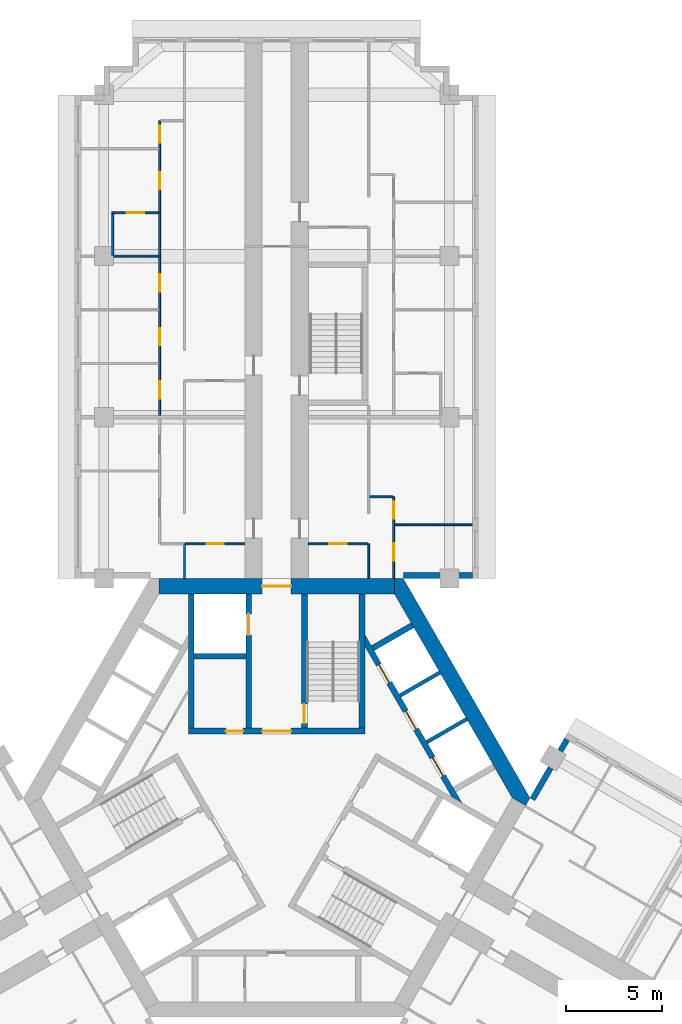
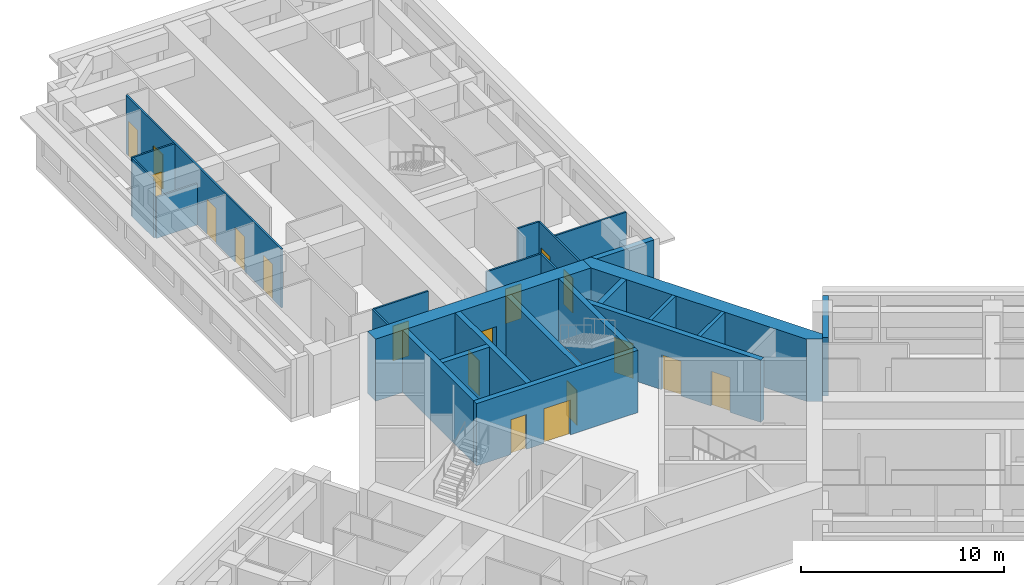
# One storey, part 8 of 13: 25 walls, 18 doors, 18 openings.
"""IFC4 building model written with IfcOpenShell, lengths in metres."""

from ifc_helpers import new_model, si_unit, direction, frame, frame_2d, origin, place, context, subcontext, project, spatial, polyline, rectangle, outline, extrude, material, layer, layer_set, type_object, element, fill, save


model = new_model("IFC4")

# Units and contexts
model_context = context("Model", 3, precision=1e-05, world=origin(), true_north=direction((0.0, 1.0)))
body_context = subcontext(model_context, "Body", "Model", "MODEL_VIEW")
ifc_project = project(units=[si_unit("LENGTHUNIT", "METRE"), si_unit("AREAUNIT", "SQUARE_METRE"), si_unit("VOLUMEUNIT", "CUBIC_METRE"), si_unit("PLANEANGLEUNIT", "RADIAN"), si_unit("MASSUNIT", "GRAM", prefix="KILO")], contexts=[model_context])

# Site, building, storey
site_placement = place(None, origin())
site = spatial("IfcSite", under=ifc_project, at=site_placement, CompositionType="ELEMENT")
building_placement = place(site_placement, origin())
building = spatial("IfcBuilding", under=site, at=building_placement, Name="Impinga Residences", CompositionType="ELEMENT")
storey_placement = place(building_placement, frame((0.0, 0.0, 151.0)))
storey = spatial("IfcBuildingStorey", under=building, at=storey_placement, Name="L37", CompositionType="ELEMENT", Elevation=151.0)

# Walls
ifc_material_1 = material(Name="Terracotta rainscreen on blockwork", Category="masonry")
ifc_layer_1 = layer(ifc_material_1, 0.300048828125)
ifc_layer_set_1 = layer_set([ifc_layer_1], Name="EW1 external wall, terracotta rainscreen on blockwork 300")
wall_type_1 = type_object("IfcWallType", Name="EW1 external wall, terracotta rainscreen on blockwork 300", PredefinedType="SOLIDWALL", material=ifc_layer_set_1)
wall_1_placement = place(storey_placement, frame((10.199951171875, 11.58154296875, 0.0), z_axis=(0.0, 0.0, 1.0), x_axis=(-1.0, 0.0, 0.0)))
element("IfcWall", 1, at=wall_1_placement, inside=storey, type_object=wall_type_1, Name="External wall EW1 L37", PredefinedType="SOLIDWALL", context=body_context, shape_type="SweptSolid", body=[
    extrude(rectangle(XDim=3.599853515625, YDim=0.300048828125, at=frame_2d((1.7998046875, 0.0))), origin(), (0.0, 0.0, 1.0), 3.530029296875),
])
wall_2_placement = place(storey_placement, frame((13.329833984375, -0.074951171875, 0.0), z_axis=(0.0, 0.0, 1.0), x_axis=(0.500012057535, 0.866018442252, 0.0)))
element("IfcWall", 2, at=wall_2_placement, inside=storey, type_object=wall_type_1, Name="External wall EW1 L37", PredefinedType="SOLIDWALL", context=body_context, shape_type="SweptSolid", body=[
    extrude(rectangle(XDim=3.60009765625, YDim=0.300048828125, at=frame_2d((1.800048828125, 0.0))), origin(), (0.0, 0.0, 1.0), 3.530029296875),
])
ifc_material_2 = material(Name="Gypsum board on steel studs", Category="steel")
ifc_layer_2 = layer(ifc_material_2, 0.10009765625)
ifc_layer_set_2 = layer_set([ifc_layer_2], Name="Gypsum board on steel studs")
wall_type_2 = type_object("IfcWallType", Name="IP1 partition 100", PredefinedType="PARTITIONING", material=ifc_layer_set_2)
wall_3_placement = place(storey_placement, frame((-4.800048828125, 11.431640625, 0.0), z_axis=(0.0, 0.0, 1.0), x_axis=(0.0, 1.0, 0.0)))
element("IfcWall", 3, at=wall_3_placement, inside=storey, type_object=wall_type_2, Name="Partition L37-NA1:DIV0", PredefinedType="PARTITIONING", context=body_context, shape_type="SweptSolid", body=[
    extrude(rectangle(XDim=1.7998046875, YDim=0.10009765625, at=frame_2d((0.89990234375, 0.0))), origin(), (0.0, 0.0, 1.0), 3.530029296875),
])

# Wall, opening, door
wall_4_placement = place(storey_placement, frame((-1.64990234375, 13.2314453125, 0.0), z_axis=(0.0, 0.0, 1.0), x_axis=(-1.0, 0.0, 0.0)))
wall_4 = element("IfcWall", 4, at=wall_4_placement, inside=storey, type_object=wall_type_2, Name="Partition L37-NA1:IB1", PredefinedType="PARTITIONING", context=body_context, shape_type="SweptSolid", body=[
    extrude(rectangle(XDim=3.10009765625, YDim=0.10009765625, at=frame_2d((1.550048828125, 0.0))), origin(), (0.0, 0.0, 1.0), 3.530029296875),
])
opening_1_placement = place(wall_4_placement, frame((1.10009765625, 0.0, 0.0)))
opening_1 = element("IfcOpeningElement", 5, at=opening_1_placement, cuts=wall_4, Name="Opening D2", PredefinedType="OPENING", context=body_context, shape_type="SweptSolid", body=[
    extrude(rectangle(XDim=0.89990234375, YDim=2.10009765625, at=frame_2d((0.449951171875, 1.050048828125))), frame((0.0, 0.06005859375, 0.0), z_axis=(0.0, -1.0, 0.0), x_axis=(1.0, 0.0, 0.0)), (0.0, 0.0, 1.0), 0.1201171875),
])
ifc_material_3 = material(Name="Timber door set", Category="wood")
door_type_1 = type_object("IfcDoorType", Name="D2 internal door 900x2100", OperationType="SINGLE_SWING_LEFT", PredefinedType="DOOR", material=ifc_material_3)
door_1_placement = place(opening_1_placement, origin())
door_1 = element("IfcDoor", 6, at=door_1_placement, inside=storey, type_object=door_type_1, Name="Apartment L37-NA1 bathroom door", OperationType="SINGLE_SWING_LEFT", OverallHeight=2.10009765625, OverallWidth=0.89990234375, PredefinedType="DOOR", context=body_context, shape_type="SweptSolid", body=[
    extrude(rectangle(XDim=0.89990234375, YDim=2.10009765625, at=frame_2d((0.449951171875, 1.050048828125))), frame((0.0, 0.02490234375, 0.0), z_axis=(0.0, -1.0, 0.0), x_axis=(1.0, 0.0, 0.0)), (0.0, 0.0, 1.0), 0.050048828125),
])
fill(opening_1, door_1)

# Wall, openings, doors
wall_5_placement = place(storey_placement, frame((-6.10009765625, 19.931640625, 0.0), z_axis=(0.0, 0.0, 1.0), x_axis=(0.0, 1.0, 0.0)))
wall_5 = element("IfcWall", 7, at=wall_5_placement, inside=storey, type_object=wall_type_2, Name="Partition L37-NA2:STRIP", PredefinedType="PARTITIONING", context=body_context, shape_type="SweptSolid", body=[
    extrude(rectangle(XDim=15.349853515625, YDim=0.10009765625, at=frame_2d((7.6748046875, 0.0))), origin(), (0.0, 0.0, 1.0), 3.530029296875),
])
opening_2_placement = place(wall_5_placement, frame((0.875, 0.0, 0.0)))
opening_2 = element("IfcOpeningElement", 8, at=opening_2_placement, cuts=wall_5, Name="Opening D2", PredefinedType="OPENING", context=body_context, shape_type="SweptSolid", body=[
    extrude(rectangle(XDim=0.89990234375, YDim=2.10009765625, at=frame_2d((0.449951171875, 1.050048828125))), frame((0.0, 0.06005859375, 0.0), z_axis=(0.0, -1.0, 0.0), x_axis=(1.0, 0.0, 0.0)), (0.0, 0.0, 1.0), 0.1201171875),
])
opening_3_placement = place(wall_5_placement, frame((3.64990234375, 0.0, 0.0)))
opening_3 = element("IfcOpeningElement", 9, at=opening_3_placement, cuts=wall_5, Name="Opening D2", PredefinedType="OPENING", context=body_context, shape_type="SweptSolid", body=[
    extrude(rectangle(XDim=0.89990234375, YDim=2.10009765625, at=frame_2d((0.449951171875, 1.050048828125))), frame((0.0, 0.06005859375, 0.0), z_axis=(0.0, -1.0, 0.0), x_axis=(1.0, 0.0, 0.0)), (0.0, 0.0, 1.0), 0.1201171875),
])
opening_4_placement = place(wall_5_placement, frame((6.449951171875, 0.0, 0.0)))
opening_4 = element("IfcOpeningElement", 10, at=opening_4_placement, cuts=wall_5, Name="Opening D2", PredefinedType="OPENING", context=body_context, shape_type="SweptSolid", body=[
    extrude(rectangle(XDim=0.89990234375, YDim=2.10009765625, at=frame_2d((0.449951171875, 1.050048828125))), frame((0.0, 0.06005859375, 0.0), z_axis=(0.0, -1.0, 0.0), x_axis=(1.0, 0.0, 0.0)), (0.0, 0.0, 1.0), 0.1201171875),
])
opening_5_placement = place(wall_5_placement, frame((11.77490234375, 0.0, 0.0)))
opening_5 = element("IfcOpeningElement", 11, at=opening_5_placement, cuts=wall_5, Name="Opening D2", PredefinedType="OPENING", context=body_context, shape_type="SweptSolid", body=[
    extrude(rectangle(XDim=0.89990234375, YDim=2.10009765625, at=frame_2d((0.449951171875, 1.050048828125))), frame((0.0, 0.06005859375, 0.0), z_axis=(0.0, -1.0, 0.0), x_axis=(1.0, 0.0, 0.0)), (0.0, 0.0, 1.0), 0.1201171875),
])
opening_6_placement = place(wall_5_placement, frame((14.199951171875, 0.0, 0.0)))
opening_6 = element("IfcOpeningElement", 12, at=opening_6_placement, cuts=wall_5, Name="Opening D2", PredefinedType="OPENING", context=body_context, shape_type="SweptSolid", body=[
    extrude(rectangle(XDim=0.89990234375, YDim=2.10009765625, at=frame_2d((0.449951171875, 1.050048828125))), frame((0.0, 0.06005859375, 0.0), z_axis=(0.0, -1.0, 0.0), x_axis=(1.0, 0.0, 0.0)), (0.0, 0.0, 1.0), 0.1201171875),
])
door_2_placement = place(opening_2_placement, origin())
door_2 = element("IfcDoor", 13, at=door_2_placement, inside=storey, type_object=door_type_1, Name="Apartment L37-NA2 room door", OperationType="SINGLE_SWING_LEFT", OverallHeight=2.10009765625, OverallWidth=0.89990234375, PredefinedType="DOOR", context=body_context, shape_type="SweptSolid", body=[
    extrude(rectangle(XDim=0.89990234375, YDim=2.10009765625, at=frame_2d((0.449951171875, 1.050048828125))), frame((0.0, 0.02490234375, 0.0), z_axis=(0.0, -1.0, 0.0), x_axis=(1.0, 0.0, 0.0)), (0.0, 0.0, 1.0), 0.050048828125),
])
fill(opening_2, door_2)
door_3_placement = place(opening_3_placement, origin())
door_3 = element("IfcDoor", 14, at=door_3_placement, inside=storey, type_object=door_type_1, Name="Apartment L37-NA2 room door", OperationType="SINGLE_SWING_LEFT", OverallHeight=2.10009765625, OverallWidth=0.89990234375, PredefinedType="DOOR", context=body_context, shape_type="SweptSolid", body=[
    extrude(rectangle(XDim=0.89990234375, YDim=2.10009765625, at=frame_2d((0.449951171875, 1.050048828125))), frame((0.0, 0.02490234375, 0.0), z_axis=(0.0, -1.0, 0.0), x_axis=(1.0, 0.0, 0.0)), (0.0, 0.0, 1.0), 0.050048828125),
])
fill(opening_3, door_3)
door_4_placement = place(opening_4_placement, origin())
door_4 = element("IfcDoor", 15, at=door_4_placement, inside=storey, type_object=door_type_1, Name="Apartment L37-NA2 room door", OperationType="SINGLE_SWING_LEFT", OverallHeight=2.10009765625, OverallWidth=0.89990234375, PredefinedType="DOOR", context=body_context, shape_type="SweptSolid", body=[
    extrude(rectangle(XDim=0.89990234375, YDim=2.10009765625, at=frame_2d((0.449951171875, 1.050048828125))), frame((0.0, 0.02490234375, 0.0), z_axis=(0.0, -1.0, 0.0), x_axis=(1.0, 0.0, 0.0)), (0.0, 0.0, 1.0), 0.050048828125),
])
fill(opening_4, door_4)
door_5_placement = place(opening_5_placement, origin())
door_5 = element("IfcDoor", 16, at=door_5_placement, inside=storey, type_object=door_type_1, Name="Apartment L37-NA2 room door", OperationType="SINGLE_SWING_RIGHT", OverallHeight=2.10009765625, OverallWidth=0.89990234375, PredefinedType="DOOR", context=body_context, shape_type="SweptSolid", body=[
    extrude(rectangle(XDim=0.89990234375, YDim=2.10009765625, at=frame_2d((0.449951171875, 1.050048828125))), frame((0.0, 0.02490234375, 0.0), z_axis=(0.0, -1.0, 0.0), x_axis=(1.0, 0.0, 0.0)), (0.0, 0.0, 1.0), 0.050048828125),
])
fill(opening_5, door_5)
door_6_placement = place(opening_6_placement, origin())
door_6 = element("IfcDoor", 17, at=door_6_placement, inside=storey, type_object=door_type_1, Name="Apartment L37-NA2 room door", OperationType="SINGLE_SWING_RIGHT", OverallHeight=2.10009765625, OverallWidth=0.89990234375, PredefinedType="DOOR", context=body_context, shape_type="SweptSolid", body=[
    extrude(rectangle(XDim=0.89990234375, YDim=2.10009765625, at=frame_2d((0.449951171875, 1.050048828125))), frame((0.0, 0.02490234375, 0.0), z_axis=(0.0, -1.0, 0.0), x_axis=(1.0, 0.0, 0.0)), (0.0, 0.0, 1.0), 0.050048828125),
])
fill(opening_6, door_6)

# Wall
wall_6_placement = place(storey_placement, frame((-6.14990234375, 28.2314453125, 0.0), z_axis=(0.0, 0.0, 1.0), x_axis=(-1.0, 0.0, 0.0)))
element("IfcWall", 18, at=wall_6_placement, inside=storey, type_object=wall_type_2, Name="Partition L37-NA2:OB3", PredefinedType="PARTITIONING", context=body_context, shape_type="SweptSolid", body=[
    extrude(rectangle(XDim=2.35009765625, YDim=0.10009765625, at=frame_2d((1.175048828125, 0.0))), origin(), (0.0, 0.0, 1.0), 2.47998046875),
])

# Wall, opening, door
wall_7_placement = place(storey_placement, frame((-6.14990234375, 30.4814453125, 0.0), z_axis=(0.0, 0.0, 1.0), x_axis=(-1.0, 0.0, 0.0)))
wall_7 = element("IfcWall", 19, at=wall_7_placement, inside=storey, type_object=wall_type_2, Name="Partition L37-NA2:EN1", PredefinedType="PARTITIONING", context=body_context, shape_type="SweptSolid", body=[
    extrude(rectangle(XDim=2.4501953125, YDim=0.10009765625, at=frame_2d((1.22509765625, 0.0))), origin(), (0.0, 0.0, 1.0), 3.530029296875),
])
opening_7_placement = place(wall_7_placement, frame((0.75, 0.0, 0.0)))
opening_7 = element("IfcOpeningElement", 20, at=opening_7_placement, cuts=wall_7, Name="Opening D2", PredefinedType="OPENING", context=body_context, shape_type="SweptSolid", body=[
    extrude(rectangle(XDim=0.89990234375, YDim=2.10009765625, at=frame_2d((0.449951171875, 1.050048828125))), frame((0.0, 0.06005859375, 0.0), z_axis=(0.0, -1.0, 0.0), x_axis=(1.0, 0.0, 0.0)), (0.0, 0.0, 1.0), 0.1201171875),
])
door_7_placement = place(opening_7_placement, origin())
door_7 = element("IfcDoor", 21, at=door_7_placement, inside=storey, type_object=door_type_1, Name="Apartment L37-NA2 en-suite door", OperationType="SINGLE_SWING_LEFT", OverallHeight=2.10009765625, OverallWidth=0.89990234375, PredefinedType="DOOR", context=body_context, shape_type="SweptSolid", body=[
    extrude(rectangle(XDim=0.89990234375, YDim=2.10009765625, at=frame_2d((0.449951171875, 1.050048828125))), frame((0.0, 0.02490234375, 0.0), z_axis=(0.0, -1.0, 0.0), x_axis=(1.0, 0.0, 0.0)), (0.0, 0.0, 1.0), 0.050048828125),
])
fill(opening_7, door_7)

# Walls
wall_8_placement = place(storey_placement, frame((-8.550048828125, 28.281494140625, 0.0), z_axis=(0.0, 0.0, 1.0), x_axis=(0.0, 1.0, 0.0)))
element("IfcWall", 22, at=wall_8_placement, inside=storey, type_object=wall_type_2, Name="Partition L37-NA2:EN2", PredefinedType="PARTITIONING", context=body_context, shape_type="SweptSolid", body=[
    extrude(rectangle(XDim=2.150146484375, YDim=0.10009765625, at=frame_2d((1.0751953125, 0.0))), origin(), (0.0, 0.0, 1.0), 3.530029296875),
])
wall_9_placement = place(storey_placement, frame((4.800048828125, 11.431640625, 0.0), z_axis=(0.0, 0.0, 1.0), x_axis=(0.0, 1.0, 0.0)))
element("IfcWall", 23, at=wall_9_placement, inside=storey, type_object=wall_type_2, Name="Partition L37-NF1:DIV0", PredefinedType="PARTITIONING", context=body_context, shape_type="SweptSolid", body=[
    extrude(rectangle(XDim=1.7998046875, YDim=0.10009765625, at=frame_2d((0.89990234375, 0.0))), origin(), (0.0, 0.0, 1.0), 3.530029296875),
])

# Wall, openings, doors
wall_10_placement = place(storey_placement, frame((6.10009765625, 11.431640625, 0.0), z_axis=(0.0, 0.0, 1.0), x_axis=(0.0, 1.0, 0.0)))
wall_10 = element("IfcWall", 24, at=wall_10_placement, inside=storey, type_object=wall_type_2, Name="Partition L37-NF1:STRIP", PredefinedType="PARTITIONING", context=body_context, shape_type="SweptSolid", body=[
    extrude(rectangle(XDim=4.25, YDim=0.10009765625, at=frame_2d((2.125, 0.0))), origin(), (0.0, 0.0, 1.0), 3.530029296875),
])
opening_8_placement = place(wall_10_placement, frame((0.925048828125, 0.0, 0.0)))
opening_8 = element("IfcOpeningElement", 25, at=opening_8_placement, cuts=wall_10, Name="Opening D2", PredefinedType="OPENING", context=body_context, shape_type="SweptSolid", body=[
    extrude(rectangle(XDim=0.89990234375, YDim=2.10009765625, at=frame_2d((0.449951171875, 1.050048828125))), frame((0.0, 0.06005859375, 0.0), z_axis=(0.0, -1.0, 0.0), x_axis=(1.0, 0.0, 0.0)), (0.0, 0.0, 1.0), 0.1201171875),
])
opening_9_placement = place(wall_10_placement, frame((3.10009765625, 0.0, 0.0)))
opening_9 = element("IfcOpeningElement", 26, at=opening_9_placement, cuts=wall_10, Name="Opening D2", PredefinedType="OPENING", context=body_context, shape_type="SweptSolid", body=[
    extrude(rectangle(XDim=0.89990234375, YDim=2.10009765625, at=frame_2d((0.449951171875, 1.050048828125))), frame((0.0, 0.06005859375, 0.0), z_axis=(0.0, -1.0, 0.0), x_axis=(1.0, 0.0, 0.0)), (0.0, 0.0, 1.0), 0.1201171875),
])
door_8_placement = place(opening_8_placement, origin())
door_8 = element("IfcDoor", 27, at=door_8_placement, inside=storey, type_object=door_type_1, Name="Apartment L37-NF1 room door", OperationType="SINGLE_SWING_LEFT", OverallHeight=2.10009765625, OverallWidth=0.89990234375, PredefinedType="DOOR", context=body_context, shape_type="SweptSolid", body=[
    extrude(rectangle(XDim=0.89990234375, YDim=2.10009765625, at=frame_2d((0.449951171875, 1.050048828125))), frame((0.0, 0.02490234375, 0.0), z_axis=(0.0, -1.0, 0.0), x_axis=(1.0, 0.0, 0.0)), (0.0, 0.0, 1.0), 0.050048828125),
])
fill(opening_8, door_8)
door_9_placement = place(opening_9_placement, origin())
door_9 = element("IfcDoor", 28, at=door_9_placement, inside=storey, type_object=door_type_1, Name="Apartment L37-NF1 room door", OperationType="SINGLE_SWING_RIGHT", OverallHeight=2.10009765625, OverallWidth=0.89990234375, PredefinedType="DOOR", context=body_context, shape_type="SweptSolid", body=[
    extrude(rectangle(XDim=0.89990234375, YDim=2.10009765625, at=frame_2d((0.449951171875, 1.050048828125))), frame((0.0, 0.02490234375, 0.0), z_axis=(0.0, -1.0, 0.0), x_axis=(1.0, 0.0, 0.0)), (0.0, 0.0, 1.0), 0.050048828125),
])
fill(opening_9, door_9)

# Wall
wall_11_placement = place(storey_placement, frame((4.85009765625, 15.681640625, 0.0), z_axis=(0.0, 0.0, 1.0), x_axis=(1.0, 0.0, 0.0)))
element("IfcWall", 29, at=wall_11_placement, inside=storey, type_object=wall_type_2, Name="Partition L37-NF1:SE1", PredefinedType="PARTITIONING", context=body_context, shape_type="SweptSolid", body=[
    extrude(rectangle(XDim=1.199951171875, YDim=0.10009765625, at=frame_2d((0.60009765625, 0.0))), origin(), (0.0, 0.0, 1.0), 3.530029296875),
])

# Wall, opening, door
wall_12_placement = place(storey_placement, frame((1.64990234375, 13.2314453125, 0.0), z_axis=(0.0, 0.0, 1.0), x_axis=(1.0, 0.0, 0.0)))
wall_12 = element("IfcWall", 30, at=wall_12_placement, inside=storey, type_object=wall_type_2, Name="Partition L37-NF1:IB1", PredefinedType="PARTITIONING", context=body_context, shape_type="SweptSolid", body=[
    extrude(rectangle(XDim=3.10009765625, YDim=0.10009765625, at=frame_2d((1.550048828125, 0.0))), origin(), (0.0, 0.0, 1.0), 3.530029296875),
])
opening_10_placement = place(wall_12_placement, frame((1.10009765625, 0.0, 0.0)))
opening_10 = element("IfcOpeningElement", 31, at=opening_10_placement, cuts=wall_12, Name="Opening D2", PredefinedType="OPENING", context=body_context, shape_type="SweptSolid", body=[
    extrude(rectangle(XDim=0.89990234375, YDim=2.10009765625, at=frame_2d((0.449951171875, 1.050048828125))), frame((0.0, 0.06005859375, 0.0), z_axis=(0.0, -1.0, 0.0), x_axis=(1.0, 0.0, 0.0)), (0.0, 0.0, 1.0), 0.1201171875),
])
door_10_placement = place(opening_10_placement, origin())
door_10 = element("IfcDoor", 32, at=door_10_placement, inside=storey, type_object=door_type_1, Name="Apartment L37-NF1 bathroom door", OperationType="SINGLE_SWING_LEFT", OverallHeight=2.10009765625, OverallWidth=0.89990234375, PredefinedType="DOOR", context=body_context, shape_type="SweptSolid", body=[
    extrude(rectangle(XDim=0.89990234375, YDim=2.10009765625, at=frame_2d((0.449951171875, 1.050048828125))), frame((0.0, 0.02490234375, 0.0), z_axis=(0.0, -1.0, 0.0), x_axis=(1.0, 0.0, 0.0)), (0.0, 0.0, 1.0), 0.050048828125),
])
fill(opening_10, door_10)

# Wall
wall_13_placement = place(storey_placement, frame((6.14990234375, 14.2314453125, 0.0), z_axis=(0.0, 0.0, 1.0), x_axis=(1.0, 0.0, 0.0)))
element("IfcWall", 33, at=wall_13_placement, inside=storey, type_object=wall_type_2, Name="Partition L37-NF1:OB1", PredefinedType="PARTITIONING", context=body_context, shape_type="SweptSolid", body=[
    extrude(rectangle(XDim=4.050048828125, YDim=0.10009765625, at=frame_2d((2.02490234375, 0.0))), origin(), (0.0, 0.0, 1.0), 3.530029296875),
])

# Wall, opening, door
ifc_material_4 = material(Name="Concrete C60/75", Category="concrete")
ifc_layer_3 = layer(ifc_material_4, 0.800048828125)
ifc_layer_set_3 = layer_set([ifc_layer_3], Name="Concrete C60/75")
wall_type_3 = type_object("IfcWallType", Name="SW2 core wall 800", PredefinedType="SHEAR", material=ifc_layer_set_3)
wall_14_placement = place(storey_placement, frame((-6.13818359375, 11.031494140625, 0.0), z_axis=(0.0, 0.0, 1.0), x_axis=(1.0, 0.0, 0.0)))
wall_14 = element("IfcWall", 34, at=wall_14_placement, inside=storey, type_object=wall_type_3, Name="Core wall SW2 N:FACE L37", PredefinedType="SHEAR", context=body_context, shape_type="SweptSolid", body=[
    extrude(rectangle(XDim=12.2763671875, YDim=0.800048828125, at=frame_2d((6.13818359375, 0.0))), origin(), (0.0, 0.0, 1.0), 3.75),
])
opening_11_placement = place(wall_14_placement, frame((5.38818359375, 0.0, 0.0)))
opening_11 = element("IfcOpeningElement", 35, at=opening_11_placement, cuts=wall_14, Name="Opening D4", PredefinedType="OPENING", context=body_context, shape_type="SweptSolid", body=[
    extrude(rectangle(XDim=1.5, YDim=2.10009765625, at=frame_2d((0.75, 1.050048828125))), frame((0.0, 0.409912109375, 0.0), z_axis=(0.0, -1.0, 0.0), x_axis=(1.0, 0.0, 0.0)), (0.0, 0.0, 1.0), 0.820068359375),
])
door_type_2 = type_object("IfcDoorType", Name="D4 lobby door pair 1500x2100", OperationType="DOUBLE_DOOR_DOUBLE_SWING", PredefinedType="DOOR", material=ifc_material_3)
door_11_placement = place(opening_11_placement, origin())
door_11 = element("IfcDoor", 36, at=door_11_placement, inside=storey, type_object=door_type_2, Name="Lobby door N", OperationType="DOUBLE_DOOR_DOUBLE_SWING", OverallHeight=2.10009765625, OverallWidth=1.5, PredefinedType="DOOR", context=body_context, shape_type="SweptSolid", body=[
    extrude(rectangle(XDim=1.5, YDim=2.10009765625, at=frame_2d((0.75, 1.050048828125))), frame((0.0, 0.02490234375, 0.0), z_axis=(0.0, -1.0, 0.0), x_axis=(1.0, 0.0, 0.0)), (0.0, 0.0, 1.0), 0.050048828125),
])
fill(opening_11, door_11)

# Wall
wall_15_placement = place(storey_placement, origin())
element("IfcWall", 37, at=wall_15_placement, inside=storey, type_object=wall_type_3, Name="Core wall SW2 W:EXPOSED L37", PredefinedType="SHEAR", context=body_context, shape_type="SweptSolid", body=[
    extrude(outline(polyline([(13.199951171875, 0.0), (6.60009765625, 11.431640625), (6.13818359375, 11.431640625), (6.13818359375, 10.631591796875), (12.276123046875, 0.0), (12.968994140625, -0.39990234375), (13.199951171875, 0.0)])), origin(), (0.0, 0.0, 1.0), 3.75),
])

# Wall, openings, doors
ifc_material_5 = material(Name="Concrete C70/85", Category="concrete")
ifc_layer_4 = layer(ifc_material_5, 0.300048828125)
ifc_layer_set_4 = layer_set([ifc_layer_4], Name="Concrete C70/85")
wall_type_4 = type_object("IfcWallType", Name="SW5 core inner wall, stairs, shafts and lobbies 300", PredefinedType="SHEAR", material=ifc_layer_set_4)
wall_16_placement = place(storey_placement, frame((-4.60009765625, 3.47998046875, 0.0), z_axis=(0.0, 0.0, 1.0), x_axis=(1.0, 0.0, 0.0)))
wall_16 = element("IfcWall", 38, at=wall_16_placement, inside=storey, type_object=wall_type_4, Name="Core wall SW5 N:ZONE L37", PredefinedType="SHEAR", context=body_context, shape_type="SweptSolid", body=[
    extrude(rectangle(XDim=9.2001953125, YDim=0.300048828125, at=frame_2d((4.60009765625, 0.0))), origin(), (0.0, 0.0, 1.0), 3.75),
])
opening_12_placement = place(wall_16_placement, frame((3.85009765625, 0.0, 0.0)))
opening_12 = element("IfcOpeningElement", 39, at=opening_12_placement, cuts=wall_16, Name="Opening D4", PredefinedType="OPENING", context=body_context, shape_type="SweptSolid", body=[
    extrude(rectangle(XDim=1.5, YDim=2.10009765625, at=frame_2d((0.75, 1.050048828125))), frame((0.0, 0.159912109375, 0.0), z_axis=(0.0, -1.0, 0.0), x_axis=(1.0, 0.0, 0.0)), (0.0, 0.0, 1.0), 0.320068359375),
])
opening_13_placement = place(wall_16_placement, frame((1.949951171875, 0.0, 0.0)))
opening_13 = element("IfcOpeningElement", 40, at=opening_13_placement, cuts=wall_16, Name="Opening D6", PredefinedType="OPENING", context=body_context, shape_type="SweptSolid", body=[
    extrude(rectangle(XDim=0.89990234375, YDim=2.10009765625, at=frame_2d((0.449951171875, 1.050048828125))), frame((0.0, 0.159912109375, 0.0), z_axis=(0.0, -1.0, 0.0), x_axis=(1.0, 0.0, 0.0)), (0.0, 0.0, 1.0), 0.320068359375),
])
door_12_placement = place(opening_12_placement, origin())
door_12 = element("IfcDoor", 41, at=door_12_placement, inside=storey, type_object=door_type_2, Name="Firefighting lobby door N", OperationType="DOUBLE_DOOR_DOUBLE_SWING", OverallHeight=2.10009765625, OverallWidth=1.5, PredefinedType="DOOR", context=body_context, shape_type="SweptSolid", body=[
    extrude(rectangle(XDim=1.5, YDim=2.10009765625, at=frame_2d((0.75, 1.050048828125))), frame((0.0, 0.02490234375, 0.0), z_axis=(0.0, -1.0, 0.0), x_axis=(1.0, 0.0, 0.0)), (0.0, 0.0, 1.0), 0.050048828125),
])
fill(opening_12, door_12)
door_type_3 = type_object("IfcDoorType", Name="D6 riser and store door 900x2100", OperationType="SINGLE_SWING_LEFT", PredefinedType="DOOR", material=ifc_material_3)
door_13_placement = place(opening_13_placement, origin())
door_13 = element("IfcDoor", 42, at=door_13_placement, inside=storey, type_object=door_type_3, Name="Riser door N", OperationType="SINGLE_SWING_LEFT", OverallHeight=2.10009765625, OverallWidth=0.89990234375, PredefinedType="DOOR", context=body_context, shape_type="SweptSolid", body=[
    extrude(rectangle(XDim=0.89990234375, YDim=2.10009765625, at=frame_2d((0.449951171875, 1.050048828125))), frame((0.0, 0.02490234375, 0.0), z_axis=(0.0, -1.0, 0.0), x_axis=(1.0, 0.0, 0.0)), (0.0, 0.0, 1.0), 0.050048828125),
])
fill(opening_13, door_13)

# Wall, opening, door
wall_17_placement = place(storey_placement, frame((1.449951171875, 3.6298828125, 0.0), z_axis=(0.0, 0.0, 1.0), x_axis=(0.0, 1.0, 0.0)))
wall_17 = element("IfcWall", 43, at=wall_17_placement, inside=storey, type_object=wall_type_4, Name="Core wall SW5 N:ST-IN L37", PredefinedType="SHEAR", context=body_context, shape_type="SweptSolid", body=[
    extrude(rectangle(XDim=7.001708984375, YDim=0.300048828125, at=frame_2d((3.5009765625, 0.0))), origin(), (0.0, 0.0, 1.0), 3.75),
])
opening_14_placement = place(wall_17_placement, frame((0.25, 0.0, 0.0)))
opening_14 = element("IfcOpeningElement", 44, at=opening_14_placement, cuts=wall_17, Name="Opening D5", PredefinedType="OPENING", context=body_context, shape_type="SweptSolid", body=[
    extrude(rectangle(XDim=1.0, YDim=2.10009765625, at=frame_2d((0.5, 1.050048828125))), frame((0.0, 0.159912109375, 0.0), z_axis=(0.0, -1.0, 0.0), x_axis=(1.0, 0.0, 0.0)), (0.0, 0.0, 1.0), 0.320068359375),
])
door_type_4 = type_object("IfcDoorType", Name="D5 stair door 1000x2100", OperationType="SINGLE_SWING_LEFT", PredefinedType="DOOR", material=ifc_material_3)
door_14_placement = place(opening_14_placement, origin())
door_14 = element("IfcDoor", 45, at=door_14_placement, inside=storey, type_object=door_type_4, Name="Stair door N", OperationType="SINGLE_SWING_LEFT", OverallHeight=2.10009765625, OverallWidth=1.0, PredefinedType="DOOR", context=body_context, shape_type="SweptSolid", body=[
    extrude(rectangle(XDim=1.0, YDim=2.10009765625, at=frame_2d((0.5, 1.050048828125))), frame((0.0, 0.02490234375, 0.0), z_axis=(0.0, -1.0, 0.0), x_axis=(1.0, 0.0, 0.0)), (0.0, 0.0, 1.0), 0.050048828125),
])
fill(opening_14, door_14)

# Wall
wall_18_placement = place(storey_placement, frame((4.449951171875, 3.6298828125, 0.0), z_axis=(0.0, 0.0, 1.0), x_axis=(0.0, 1.0, 0.0)))
element("IfcWall", 46, at=wall_18_placement, inside=storey, type_object=wall_type_4, Name="Core wall SW5 N:ST-OUT L37", PredefinedType="SHEAR", context=body_context, shape_type="SweptSolid", body=[
    extrude(rectangle(XDim=7.001708984375, YDim=0.300048828125, at=frame_2d((3.5009765625, 0.0))), origin(), (0.0, 0.0, 1.0), 3.75),
])

# Wall, opening, door
wall_19_placement = place(storey_placement, frame((-1.449951171875, 3.6298828125, 0.0), z_axis=(0.0, 0.0, 1.0), x_axis=(0.0, 1.0, 0.0)))
wall_19 = element("IfcWall", 47, at=wall_19_placement, inside=storey, type_object=wall_type_4, Name="Core wall SW5 N:FF-IN L37", PredefinedType="SHEAR", context=body_context, shape_type="SweptSolid", body=[
    extrude(rectangle(XDim=7.001708984375, YDim=0.300048828125, at=frame_2d((3.5009765625, 0.0))), origin(), (0.0, 0.0, 1.0), 3.75),
])
opening_15_placement = place(wall_19_placement, frame((4.85009765625, 0.0, 0.0)))
opening_15 = element("IfcOpeningElement", 48, at=opening_15_placement, cuts=wall_19, Name="Opening LD2", PredefinedType="OPENING", context=body_context, shape_type="SweptSolid", body=[
    extrude(rectangle(XDim=1.10009765625, YDim=2.10009765625, at=frame_2d((0.550048828125, 1.050048828125))), frame((0.0, 0.159912109375, 0.0), z_axis=(0.0, -1.0, 0.0), x_axis=(1.0, 0.0, 0.0)), (0.0, 0.0, 1.0), 0.320068359375),
])
ifc_material_6 = material(Name="Steel lift landing door", Category="steel")
door_type_5 = type_object("IfcDoorType", Name="LD2 firefighting lift landing door 1100x2100", OperationType="DOUBLE_DOOR_SLIDING", PredefinedType="DOOR", material=ifc_material_6)
door_15_placement = place(opening_15_placement, origin())
door_15 = element("IfcDoor", 49, at=door_15_placement, inside=storey, type_object=door_type_5, Name="Firefighting lift landing door F1", OperationType="DOUBLE_DOOR_SLIDING", OverallHeight=2.10009765625, OverallWidth=1.10009765625, PredefinedType="DOOR", context=body_context, shape_type="SweptSolid", body=[
    extrude(rectangle(XDim=1.10009765625, YDim=2.10009765625, at=frame_2d((0.550048828125, 1.050048828125))), frame((0.0, 0.02490234375, 0.0), z_axis=(0.0, -1.0, 0.0), x_axis=(1.0, 0.0, 0.0)), (0.0, 0.0, 1.0), 0.050048828125),
])
fill(opening_15, door_15)

# Walls
wall_20_placement = place(storey_placement, frame((-4.449951171875, 3.6298828125, 0.0), z_axis=(0.0, 0.0, 1.0), x_axis=(0.0, 1.0, 0.0)))
element("IfcWall", 50, at=wall_20_placement, inside=storey, type_object=wall_type_4, Name="Core wall SW5 N:FF-OUT L37", PredefinedType="SHEAR", context=body_context, shape_type="SweptSolid", body=[
    extrude(rectangle(XDim=7.001708984375, YDim=0.300048828125, at=frame_2d((3.5009765625, 0.0))), origin(), (0.0, 0.0, 1.0), 3.75),
])
wall_21_placement = place(storey_placement, frame((-4.300048828125, 7.3798828125, 0.0), z_axis=(0.0, 0.0, 1.0), x_axis=(1.0, 0.0, 0.0)))
element("IfcWall", 51, at=wall_21_placement, inside=storey, type_object=wall_type_4, Name="Core wall SW5 N:FF-RS L37", PredefinedType="SHEAR", context=body_context, shape_type="SweptSolid", body=[
    extrude(rectangle(XDim=2.699951171875, YDim=0.300048828125, at=frame_2d((1.35009765625, 0.0))), origin(), (0.0, 0.0, 1.0), 3.75),
])

# Wall, openings, doors
wall_22_placement = place(storey_placement, frame((4.449951171875, 8.455322265625, 0.0), z_axis=(0.0, 0.0, 1.0), x_axis=(0.500002290144, -0.866024081565, 0.0)))
wall_22 = element("IfcWall", 52, at=wall_22_placement, inside=storey, type_object=wall_type_4, Name="Core wall SW5 W:BANK-FRONT L37", PredefinedType="SHEAR", context=body_context, shape_type="SweptSolid", body=[
    extrude(rectangle(XDim=10.1953125, YDim=0.300048828125, at=frame_2d((5.09765625, 0.0))), origin(), (0.0, 0.0, 1.0), 3.75),
])
opening_16_placement = place(wall_22_placement, frame((1.74755859375, 0.0, 0.0)))
opening_16 = element("IfcOpeningElement", 53, at=opening_16_placement, cuts=wall_22, Name="Opening LD1", PredefinedType="OPENING", context=body_context, shape_type="SweptSolid", body=[
    extrude(rectangle(XDim=1.10009765625, YDim=2.10009765625, at=frame_2d((0.550048828125, 1.050048828125))), frame((0.0, 0.159912109375, 0.0), z_axis=(0.0, -1.0, 0.0), x_axis=(1.0, 0.0, 0.0)), (0.0, 0.0, 1.0), 0.320068359375),
])
opening_17_placement = place(wall_22_placement, frame((4.547607421875, 0.0, 0.0)))
opening_17 = element("IfcOpeningElement", 54, at=opening_17_placement, cuts=wall_22, Name="Opening LD1", PredefinedType="OPENING", context=body_context, shape_type="SweptSolid", body=[
    extrude(rectangle(XDim=1.10009765625, YDim=2.10009765625, at=frame_2d((0.550048828125, 1.050048828125))), frame((0.0, 0.159912109375, 0.0), z_axis=(0.0, -1.0, 0.0), x_axis=(1.0, 0.0, 0.0)), (0.0, 0.0, 1.0), 0.320068359375),
])
opening_18_placement = place(wall_22_placement, frame((7.34765625, 0.0, 0.0)))
opening_18 = element("IfcOpeningElement", 55, at=opening_18_placement, cuts=wall_22, Name="Opening LD1", PredefinedType="OPENING", context=body_context, shape_type="SweptSolid", body=[
    extrude(rectangle(XDim=1.10009765625, YDim=2.10009765625, at=frame_2d((0.550048828125, 1.050048828125))), frame((0.0, 0.159912109375, 0.0), z_axis=(0.0, -1.0, 0.0), x_axis=(1.0, 0.0, 0.0)), (0.0, 0.0, 1.0), 0.320068359375),
])
door_type_6 = type_object("IfcDoorType", Name="LD1 passenger lift landing door 1100x2100", OperationType="DOUBLE_DOOR_SLIDING", PredefinedType="DOOR", material=ifc_material_6)
door_16_placement = place(opening_16_placement, origin())
door_16 = element("IfcDoor", 56, at=door_16_placement, inside=storey, type_object=door_type_6, Name="Lift landing door P4", OperationType="DOUBLE_DOOR_SLIDING", OverallHeight=2.10009765625, OverallWidth=1.10009765625, PredefinedType="DOOR", context=body_context, shape_type="SweptSolid", body=[
    extrude(rectangle(XDim=1.10009765625, YDim=2.10009765625, at=frame_2d((0.550048828125, 1.050048828125))), frame((0.0, 0.02490234375, 0.0), z_axis=(0.0, -1.0, 0.0), x_axis=(1.0, 0.0, 0.0)), (0.0, 0.0, 1.0), 0.050048828125),
])
fill(opening_16, door_16)
door_17_placement = place(opening_17_placement, origin())
door_17 = element("IfcDoor", 57, at=door_17_placement, inside=storey, type_object=door_type_6, Name="Lift landing door P5", OperationType="DOUBLE_DOOR_SLIDING", OverallHeight=2.10009765625, OverallWidth=1.10009765625, PredefinedType="DOOR", context=body_context, shape_type="SweptSolid", body=[
    extrude(rectangle(XDim=1.10009765625, YDim=2.10009765625, at=frame_2d((0.550048828125, 1.050048828125))), frame((0.0, 0.02490234375, 0.0), z_axis=(0.0, -1.0, 0.0), x_axis=(1.0, 0.0, 0.0)), (0.0, 0.0, 1.0), 0.050048828125),
])
fill(opening_17, door_17)
door_18_placement = place(opening_18_placement, origin())
door_18 = element("IfcDoor", 58, at=door_18_placement, inside=storey, type_object=door_type_6, Name="Lift landing door P6", OperationType="DOUBLE_DOOR_SLIDING", OverallHeight=2.10009765625, OverallWidth=1.10009765625, PredefinedType="DOOR", context=body_context, shape_type="SweptSolid", body=[
    extrude(rectangle(XDim=1.10009765625, YDim=2.10009765625, at=frame_2d((0.550048828125, 1.050048828125))), frame((0.0, 0.02490234375, 0.0), z_axis=(0.0, -1.0, 0.0), x_axis=(1.0, 0.0, 0.0)), (0.0, 0.0, 1.0), 0.050048828125),
])
fill(opening_18, door_18)

# Walls
wall_23_placement = place(storey_placement, frame((5.003662109375, 7.79638671875, 0.0), z_axis=(0.0, 0.0, 1.0), x_axis=(0.866050077142, 0.499957262057, 0.0)))
element("IfcWall", 59, at=wall_23_placement, inside=storey, type_object=wall_type_4, Name="Core wall SW5 W:BANK-L L37", PredefinedType="SHEAR", context=body_context, shape_type="SweptSolid", body=[
    extrude(rectangle(XDim=2.400146484375, YDim=0.300048828125, at=frame_2d((1.2001953125, 0.0))), origin(), (0.0, 0.0, 1.0), 3.75),
])
ifc_layer_5 = layer(ifc_material_5, 0.199951171875)
ifc_layer_set_5 = layer_set([ifc_layer_5], Name="Concrete C70/85")
wall_type_5 = type_object("IfcWallType", Name="SW6 lift shaft divider wall 200", PredefinedType="SHEAR", material=ifc_layer_set_5)
wall_24_placement = place(storey_placement, frame((6.4287109375, 5.328125, 0.0), z_axis=(0.0, 0.0, 1.0), x_axis=(0.865980596518, 0.500077600433, 0.0)))
element("IfcWall", 60, at=wall_24_placement, inside=storey, type_object=wall_type_5, Name="Core wall SW6 W:BANK-D1 L37", PredefinedType="SHEAR", context=body_context, shape_type="SweptSolid", body=[
    extrude(rectangle(XDim=2.39990234375, YDim=0.199951171875, at=frame_2d((1.199951171875, 0.0))), origin(), (0.0, 0.0, 1.0), 3.75),
])
wall_25_placement = place(storey_placement, frame((7.82861328125, 2.9033203125, 0.0), z_axis=(0.0, 0.0, 1.0), x_axis=(0.866050077142, 0.499957262057, 0.0)))
element("IfcWall", 61, at=wall_25_placement, inside=storey, type_object=wall_type_5, Name="Core wall SW6 W:BANK-D2 L37", PredefinedType="SHEAR", context=body_context, shape_type="SweptSolid", body=[
    extrude(rectangle(XDim=2.400146484375, YDim=0.199951171875, at=frame_2d((1.2001953125, 0.0))), origin(), (0.0, 0.0, 1.0), 3.75),
])

save(model, "model.ifc")
